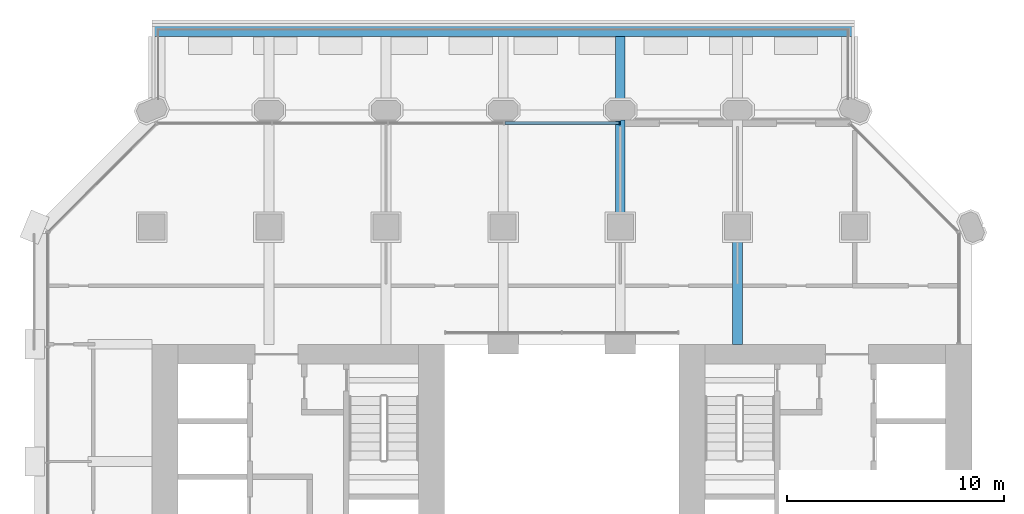
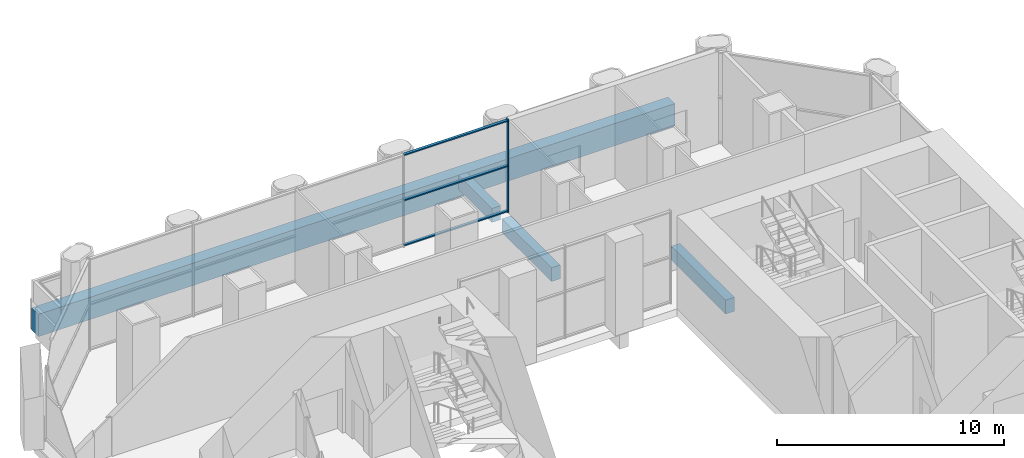
# One storey, part 8 of 27: 4 beams, 4 members, 1 element without a shape of its own.
"""IFC4 building model written with IfcOpenShell, lengths in metres."""

from ifc_helpers import new_model, si_unit, direction, frame, origin, origin_2d, place, context, subcontext, project, spatial, rectangle, extrude, material, material_profile, profile_set, type_object, element, aggregate, save


model = new_model("IFC4")

# Units and contexts
model_context = context("Model", 3, precision=1e-05, world=origin(), true_north=direction((0.0, 1.0)))
body_context = subcontext(model_context, "Body", "Model", "MODEL_VIEW")
ifc_project = project(units=[si_unit("LENGTHUNIT", "METRE"), si_unit("AREAUNIT", "SQUARE_METRE"), si_unit("VOLUMEUNIT", "CUBIC_METRE"), si_unit("PLANEANGLEUNIT", "RADIAN"), si_unit("MASSUNIT", "GRAM", prefix="KILO")], contexts=[model_context])

# Site, building, storey
site_placement = place(None, origin())
site = spatial("IfcSite", under=ifc_project, at=site_placement, CompositionType="ELEMENT")
building_placement = place(site_placement, origin())
building = spatial("IfcBuilding", under=site, at=building_placement, Name="Tabaq Tower and Sports Hall", CompositionType="ELEMENT")
storey_placement = place(building_placement, frame((0.0, 0.0, 14.39990234375)))
storey = spatial("IfcBuildingStorey", under=building, at=storey_placement, Name="L02", CompositionType="ELEMENT", Elevation=14.39990234375)

# Curtain wall, members
ifc_material_1 = material(Name="Aluminium alloy 6063-T6 framed glazing", Category="aluminium")
curtain_wall_type = type_object("IfcCurtainWallType", Name="CW7 curtain wall", PredefinedType="USERDEFINED", material=ifc_material_1)
curtain_wall_placement = place(storey_placement, origin())
curtain_wall = element("IfcCurtainWall", 1, at=curtain_wall_placement, inside=storey, type_object=curtain_wall_type, Name="Podium Wall L02 N", ObjectType="PODIUM WALL", PredefinedType="USERDEFINED")
ifc_material_2 = material(Name="Aluminium alloy 6063-T6", Category="aluminium")
ifc_material_profile_1 = material_profile(ifc_material_2, rectangle(XDim=0.179931640625, YDim=0.06494140625, at=origin_2d()), Name="MULLION 180x65")
ifc_profile_set_1 = profile_set([ifc_material_profile_1], Name="Aluminium alloy 6063-T6")
member_type_1 = type_object("IfcMemberType", Name="CW7 mullion 180x65", PredefinedType="MULLION", material=ifc_profile_set_1)
member_1_placement = place(storey_placement, frame((26.967529296875, 42.60009765625, 0.0), z_axis=(0.0, 0.0, 1.0), x_axis=(0.0, -1.0, 0.0)))
member_1 = element("IfcMember", 2, at=member_1_placement, type_object=member_type_1, Name="CW7 mullion 1", PredefinedType="MULLION", context=body_context, shape_type="SweptSolid", body=[
    extrude(rectangle(XDim=0.179931640625, YDim=0.06494140625, at=origin_2d()), origin(), (0.0, 0.0, 1.0), 5.0),
])
ifc_material_3 = material(Name="Aluminium alloy 6063-T6", Category="aluminium")
ifc_material_profile_2 = material_profile(ifc_material_3, rectangle(XDim=0.139892578125, YDim=0.06494140625, at=origin_2d()), Name="TRANSOM 140x65")
ifc_profile_set_2 = profile_set([ifc_material_profile_2], Name="Aluminium alloy 6063-T6")
member_type_2 = type_object("IfcMemberType", Name="CW7 transom 140x65", PredefinedType="USERDEFINED", material=ifc_profile_set_2)
member_2_placement = place(storey_placement, frame((26.93505859375, 42.60009765625, 0.070068359375), z_axis=(-1.0, 0.0, 0.0), x_axis=(0.0, -1.0, 0.0)))
member_2 = element("IfcMember", 3, at=member_2_placement, type_object=member_type_2, Name="CW7 transom 1.1", ObjectType="TRANSOM", PredefinedType="USERDEFINED", context=body_context, shape_type="SweptSolid", body=[
    extrude(rectangle(XDim=0.139892578125, YDim=0.06494140625, at=origin_2d()), origin(), (0.0, 0.0, 1.0), 5.255859375),
])
member_3_placement = place(storey_placement, frame((26.93505859375, 42.60009765625, 2.5), z_axis=(-1.0, 0.0, 0.0), x_axis=(0.0, -1.0, 0.0)))
member_3 = element("IfcMember", 4, at=member_3_placement, type_object=member_type_2, Name="CW7 transom 1.2", ObjectType="TRANSOM", PredefinedType="USERDEFINED", context=body_context, shape_type="SweptSolid", body=[
    extrude(rectangle(XDim=0.139892578125, YDim=0.06494140625, at=origin_2d()), origin(), (0.0, 0.0, 1.0), 5.255859375),
])
member_4_placement = place(storey_placement, frame((26.93505859375, 42.60009765625, 4.93017578125), z_axis=(-1.0, 0.0, 0.0), x_axis=(0.0, -1.0, 0.0)))
member_4 = element("IfcMember", 5, at=member_4_placement, type_object=member_type_2, Name="CW7 transom 1.3", ObjectType="TRANSOM", PredefinedType="USERDEFINED", context=body_context, shape_type="SweptSolid", body=[
    extrude(rectangle(XDim=0.139892578125, YDim=0.06494140625, at=origin_2d()), origin(), (0.0, 0.0, 1.0), 5.255859375),
])
aggregate(curtain_wall, [member_1, member_2, member_3, member_4])

# Beams
ifc_material_4 = material(Name="Concrete C40/50", Category="concrete")
ifc_material_profile_3 = material_profile(ifc_material_4, rectangle(XDim=0.60009765625, YDim=1.199951171875, at=origin_2d()), Name="EBT 600x1200")
ifc_profile_set_3 = profile_set([ifc_material_profile_3], Name="Concrete C40/50")
beam_type_1 = type_object("IfcBeamType", Name="Concrete C40/50 PT edge band EBT 600x1200", PredefinedType="BEAM", material=ifc_profile_set_3)
beam_1_placement = place(storey_placement, frame((37.800048828125, 46.89990234375, -1.0), z_axis=(-1.0, 0.0, 0.0), x_axis=(0.0, -1.0, 0.0)))
element("IfcBeam", 6, at=beam_1_placement, inside=storey, type_object=beam_type_1, Name="Tray edge band L02", PredefinedType="BEAM", context=body_context, shape_type="SweptSolid", body=[
    extrude(rectangle(XDim=0.60009765625, YDim=1.199951171875, at=origin_2d()), origin(), (0.0, 0.0, 1.0), 32.400146484375),
])
ifc_material_5 = material(Name="Concrete C40/50", Category="concrete")
ifc_material_profile_4 = material_profile(ifc_material_5, rectangle(XDim=0.449951171875, YDim=0.75, at=origin_2d()), Name="CB 450x750")
ifc_profile_set_4 = profile_set([ifc_material_profile_4], Name="Concrete C40/50")
beam_type_2 = type_object("IfcBeamType", Name="PT CANTILEVER BEAM CB 450x750 C40/50", PredefinedType="BEAM", material=ifc_profile_set_4)
beam_2_placement = place(storey_placement, frame((32.39990234375, 37.199951171875, -0.77490234375), z_axis=(0.0, -1.0, 0.0), x_axis=(1.0, 0.0, 0.0)))
element("IfcBeam", 7, at=beam_2_placement, inside=storey, type_object=beam_type_2, Name="Tray Cantilever Beam L02 T1 span 3", PredefinedType="BEAM", context=body_context, shape_type="SweptSolid", body=[
    extrude(rectangle(XDim=0.449951171875, YDim=0.75, at=origin_2d()), origin(), (0.0, 0.0, 1.0), 4.800048828125),
])
beam_3_placement = place(storey_placement, frame((27.0, 46.60009765625, -0.77490234375), z_axis=(0.0, -1.0, 0.0), x_axis=(1.0, 0.0, 0.0)))
element("IfcBeam", 8, at=beam_3_placement, inside=storey, type_object=beam_type_2, Name="Tray Cantilever Beam L02 T2 span 1", PredefinedType="BEAM", context=body_context, shape_type="SweptSolid", body=[
    extrude(rectangle(XDim=0.449951171875, YDim=0.75, at=origin_2d()), origin(), (0.0, 0.0, 1.0), 2.9501953125),
])
beam_4_placement = place(storey_placement, frame((27.0, 42.75, -0.77490234375), z_axis=(0.0, -1.0, 0.0), x_axis=(1.0, 0.0, 0.0)))
element("IfcBeam", 9, at=beam_4_placement, inside=storey, type_object=beam_type_2, Name="Tray Cantilever Beam L02 T2 span 2", PredefinedType="BEAM", context=body_context, shape_type="SweptSolid", body=[
    extrude(rectangle(XDim=0.449951171875, YDim=0.75, at=origin_2d()), origin(), (0.0, 0.0, 1.0), 4.35009765625),
])

save(model, "model.ifc")
